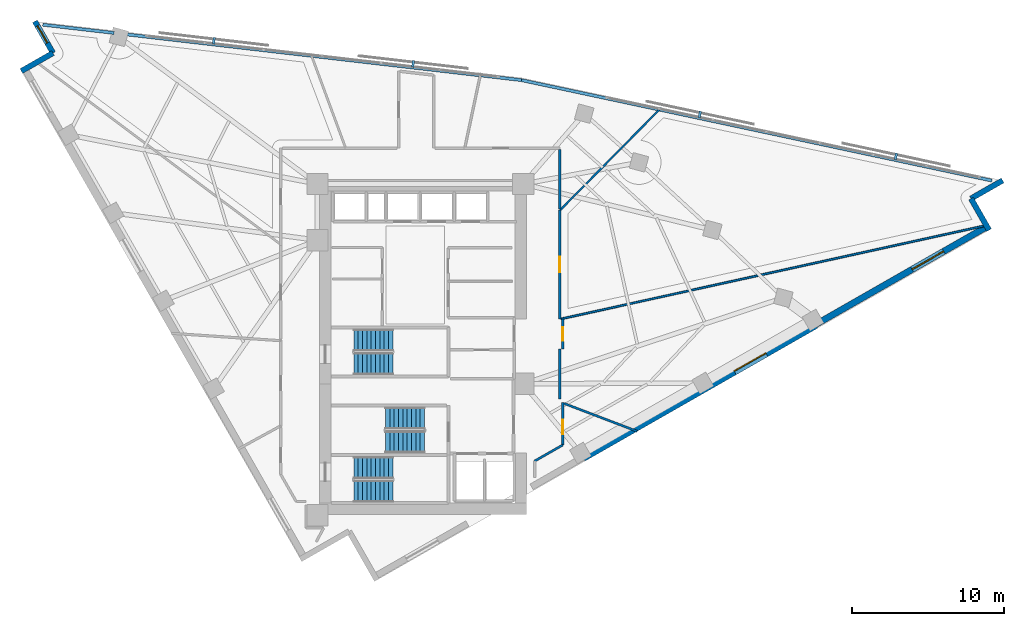
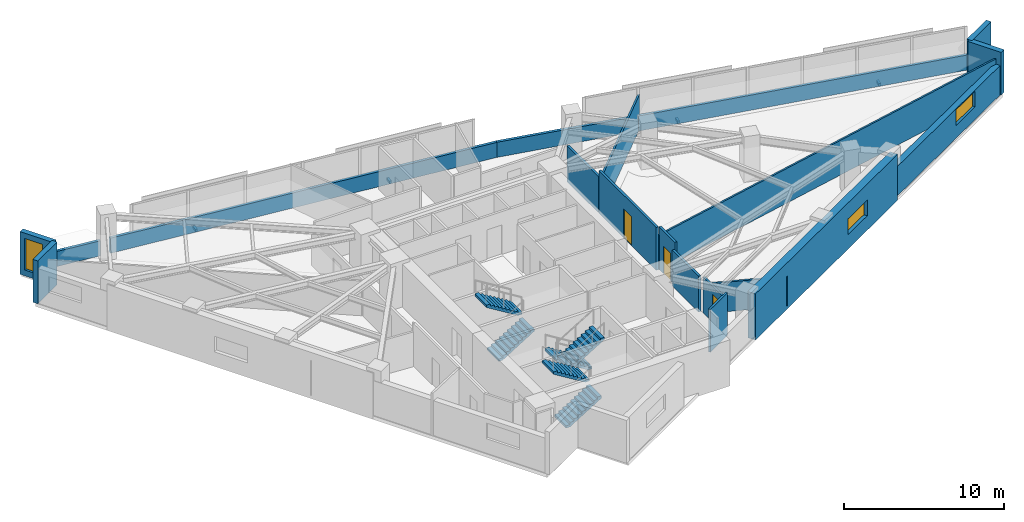
# One storey, part 11 of 13: 18 walls, 6 stair flights, 4 discrete accessories, 3 doors, 3 windows, 6 openings, 3 elements without a shape of their own.
"""IFC4 building model written with IfcOpenShell, lengths in metres."""

from ifc_helpers import new_model, si_unit, direction, frame, frame_2d, origin, origin_2d, place, context, subcontext, project, spatial, polyline, rectangle, outline, extrude, material, layer, layer_set, type_object, element, fill, aggregate, save


model = new_model("IFC4")

# Units and contexts
model_context = context("Model", 3, precision=1e-05, world=origin(), true_north=direction((0.0, 1.0)))
body_context = subcontext(model_context, "Body", "Model", "MODEL_VIEW")
ifc_project = project(units=[si_unit("LENGTHUNIT", "METRE"), si_unit("AREAUNIT", "SQUARE_METRE"), si_unit("VOLUMEUNIT", "CUBIC_METRE"), si_unit("PLANEANGLEUNIT", "RADIAN"), si_unit("MASSUNIT", "GRAM", prefix="KILO")], contexts=[model_context])

# Site, building, storey
site_placement = place(None, origin())
site = spatial("IfcSite", under=ifc_project, at=site_placement, CompositionType="ELEMENT")
building_placement = place(site_placement, origin())
building = spatial("IfcBuilding", under=site, at=building_placement, Name="Narakoshi Arena Tower", CompositionType="ELEMENT")
storey_placement = place(building_placement, frame((0.0, 0.0, 222.02001953125)))
storey = spatial("IfcBuildingStorey", under=building, at=storey_placement, Name="L60", CompositionType="ELEMENT", Elevation=222.02001953125)

# Wall
ifc_material_1 = material(Name="Gypsum plasterboard fire-rated partition")
ifc_layer_1 = layer(ifc_material_1, 0.1650390625)
ifc_layer_set_1 = layer_set([ifc_layer_1], Name="Gypsum plasterboard fire-rated partition")
wall_type_1 = type_object("IfcWallType", Name="WL-CORR-165", PredefinedType="PARTITIONING", material=ifc_layer_set_1)
wall_1_placement = place(storey_placement, frame((87.955322265625, 42.35009765625, 0.0), z_axis=(0.0, 0.0, 1.0), x_axis=(0.0, 1.0, 0.0)))
element("IfcWall", 1, at=wall_1_placement, inside=storey, type_object=wall_type_1, Name="L60 Corridor Partition 04-1", PredefinedType="PARTITIONING", context=body_context, shape_type="SweptSolid", body=[
    extrude(rectangle(XDim=3.2998046875, YDim=0.1650390625, at=frame_2d((1.64990234375, 0.0))), origin(), (0.0, 0.0, 1.0), 2.744873046875),
])

# Wall, opening, door
wall_2_placement = place(storey_placement, frame((88.14990234375, 45.64990234375, 0.0), z_axis=(0.0, 0.0, 1.0), x_axis=(0.0, 1.0, 0.0)))
wall_2 = element("IfcWall", 2, at=wall_2_placement, inside=storey, type_object=wall_type_1, Name="L60 Corridor Partition 04-2", PredefinedType="PARTITIONING", context=body_context, shape_type="SweptSolid", body=[
    extrude(rectangle(XDim=1.97021484375, YDim=0.1650390625, at=frame_2d((0.985107421875, 0.0))), origin(), (0.0, 0.0, 1.0), 3.260009765625),
])
opening_1_placement = place(wall_2_placement, frame((0.534912109375, 0.0, 0.0)))
opening_1 = element("IfcOpeningElement", 3, at=opening_1_placement, cuts=wall_2, Name="Opening D-08", PredefinedType="OPENING", context=body_context, shape_type="SweptSolid", body=[
    extrude(rectangle(XDim=0.89990234375, YDim=2.10009765625, at=frame_2d((0.449951171875, 1.050048828125))), frame((0.0, 0.092529296875, 0.0), z_axis=(0.0, -1.0, 0.0), x_axis=(1.0, 0.0, 0.0)), (0.0, 0.0, 1.0), 0.18505859375),
])
ifc_material_2 = material(Name="Moisture-resistant laminate timber", Category="wood")
door_type_1 = type_object("IfcDoorType", Name="DR-WC-900", OperationType="NOTDEFINED", PredefinedType="DOOR", material=ifc_material_2)
door_1_placement = place(opening_1_placement, frame((0.89990234375, 0.0, 0.0), z_axis=(0.0, 0.0, 1.0), x_axis=(-1.0, 0.0, 0.0)))
door_1 = element("IfcDoor", 4, at=door_1_placement, inside=storey, type_object=door_type_1, Name="DR-L60-019", OperationType="SINGLE_SWING_LEFT", OverallHeight=2.10009765625, OverallWidth=0.89990234375, PredefinedType="DOOR", context=body_context, shape_type="SweptSolid", body=[
    extrude(rectangle(XDim=0.89990234375, YDim=2.10009765625, at=frame_2d((0.449951171875, 1.050048828125))), frame((0.0, 0.02490234375, 0.0), z_axis=(0.0, -1.0, 0.0), x_axis=(1.0, 0.0, 0.0)), (0.0, 0.0, 1.0), 0.050048828125),
])
fill(opening_1, door_1)

wall_3_placement = place(storey_placement, frame((87.955322265625, 47.62890625, 0.0), z_axis=(0.0, 0.0, 1.0), x_axis=(0.0, 1.0, 0.0)))
wall_3 = element("IfcWall", 5, at=wall_3_placement, inside=storey, type_object=wall_type_1, Name="L60 Corridor Partition 05-1", PredefinedType="PARTITIONING", context=body_context, shape_type="SweptSolid", body=[
    extrude(rectangle(XDim=7.157470703125, YDim=0.1650390625, at=frame_2d((3.57861328125, 0.0))), origin(), (0.0, 0.0, 1.0), 3.260009765625),
])
opening_2_placement = place(wall_3_placement, frame((3.07861328125, 0.0, 0.0)))
opening_2 = element("IfcOpeningElement", 6, at=opening_2_placement, cuts=wall_3, Name="Opening D-06", PredefinedType="OPENING", context=body_context, shape_type="SweptSolid", body=[
    extrude(rectangle(XDim=1.0, YDim=2.199951171875, at=frame_2d((0.5, 1.10009765625))), frame((0.0, 0.092529296875, 0.0), z_axis=(0.0, -1.0, 0.0), x_axis=(1.0, 0.0, 0.0)), (0.0, 0.0, 1.0), 0.18505859375),
])
ifc_material_3 = material(Name="Stained oak solid-core timber", Category="wood")
door_type_2 = type_object("IfcDoorType", Name="DR-OFF-1000", OperationType="NOTDEFINED", PredefinedType="DOOR", material=ifc_material_3)
door_2_placement = place(opening_2_placement, frame((1.0, 0.0, 0.0), z_axis=(0.0, 0.0, 1.0), x_axis=(-1.0, 0.0, 0.0)))
door_2 = element("IfcDoor", 7, at=door_2_placement, inside=storey, type_object=door_type_2, Name="DR-L60-020", OperationType="SINGLE_SWING_RIGHT", OverallHeight=2.199951171875, OverallWidth=1.0, PredefinedType="DOOR", context=body_context, shape_type="SweptSolid", body=[
    extrude(rectangle(XDim=1.0, YDim=2.199951171875, at=frame_2d((0.5, 1.10009765625))), frame((0.0, 0.02490234375, 0.0), z_axis=(0.0, -1.0, 0.0), x_axis=(1.0, 0.0, 0.0)), (0.0, 0.0, 1.0), 0.050048828125),
])
fill(opening_2, door_2)

# Wall
wall_4_placement = place(storey_placement, frame((87.955322265625, 54.866455078125, 0.0), z_axis=(0.0, 0.0, 1.0), x_axis=(0.0, 1.0, 0.0)))
element("IfcWall", 8, at=wall_4_placement, inside=storey, type_object=wall_type_1, Name="L60 Corridor Partition 06-2", PredefinedType="PARTITIONING", context=body_context, shape_type="SweptSolid", body=[
    extrude(rectangle(XDim=3.89453125, YDim=0.1650390625, at=frame_2d((1.947265625, 0.0))), origin(), (0.0, 0.0, 1.0), 2.744873046875),
])

# Wall, opening, window
ifc_material_4 = material(Name="Concrete C50/60", Category="concrete")
ifc_layer_2 = layer(ifc_material_4, 0.550048828125)
ifc_layer_set_2 = layer_set([ifc_layer_2], Name="Concrete C50/60")
wall_type_2 = type_object("IfcWallType", Name="WL-LEG-550", PredefinedType="SHEAR", material=ifc_layer_set_2)
wall_5_placement = place(storey_placement, frame((89.479248046875, 38.4990234375, -0.260009765625), z_axis=(0.0, 0.0, 1.0), x_axis=(0.868197136736, 0.496219439123, 0.0)))
wall_5 = element("IfcWall", 9, at=wall_5_placement, inside=storey, type_object=wall_type_2, Name="L60 Architectural Concrete Structural Wall LEGA-3", PredefinedType="SHEAR", context=body_context, shape_type="SweptSolid", body=[
    extrude(rectangle(XDim=17.63623046875, YDim=0.550048828125, at=frame_2d((8.818115234375, 0.0))), origin(), (0.0, 0.0, 1.0), 3.52001953125),
])
opening_3_placement = place(wall_5_placement, frame((11.463623046875, 0.0, 1.10009765625)))
opening_3 = element("IfcOpeningElement", 10, at=opening_3_placement, cuts=wall_5, Name="Opening WN-04", PredefinedType="OPENING", context=body_context, shape_type="SweptSolid", body=[
    extrude(rectangle(XDim=2.39990234375, YDim=1.199951171875, at=frame_2d((1.199951171875, 0.60009765625))), frame((0.0, 0.284912109375, 0.0), z_axis=(0.0, -1.0, 0.0), x_axis=(1.0, 0.0, 0.0)), (0.0, 0.0, 1.0), 0.570068359375),
])
ifc_material_5 = material(Name="Bronze-tinted low-E laminated glass", Category="glass")
window_type_1 = type_object("IfcWindowType", Name="WIN-SLT-24x12", PartitioningType="SINGLE_PANEL", PredefinedType="WINDOW", material=ifc_material_5)
window_1_placement = place(opening_3_placement, origin())
window_1 = element("IfcWindow", 11, at=window_1_placement, inside=storey, type_object=window_type_1, Name="L60 LEGA3 Horizontal Slot Window 1", OverallHeight=1.199951171875, OverallWidth=2.39990234375, PartitioningType="SINGLE_PANEL", PredefinedType="WINDOW", context=body_context, shape_type="SweptSolid", body=[
    extrude(rectangle(XDim=2.39990234375, YDim=1.199951171875, at=frame_2d((1.199951171875, 0.60009765625))), frame((0.0, 0.030029296875, 0.0), z_axis=(0.0, -1.0, 0.0), x_axis=(1.0, 0.0, 0.0)), (0.0, 0.0, 1.0), 0.06005859375),
])
fill(opening_3, window_1)

# Walls
ifc_material_6 = material(Name="Precast concrete C45/55", Category="concrete")
ifc_layer_3 = layer(ifc_material_6, 0.25)
ifc_layer_set_3 = layer_set([ifc_layer_3], Name="Precast concrete C45/55")
wall_type_3 = type_object("IfcWallType", Name="WL-PARA-250", PredefinedType="PARAPET", material=ifc_layer_set_3)
wall_6_placement = place(storey_placement, frame((116.3955078125, 56.7216796875, 0.0), z_axis=(0.0, 0.0, 1.0), x_axis=(-0.977936620644, 0.208901809478, 0.0)))
element("IfcWall", 12, at=wall_6_placement, inside=storey, type_object=wall_type_3, Name="L60 Hypotenuse Sill Upstand Parapet 1-01", PredefinedType="PARAPET", context=body_context, shape_type="SweptSolid", body=[
    extrude(rectangle(XDim=31.685302734375, YDim=0.199951171875, at=frame_2d((15.8427734375, 0.0))), origin(), (0.0, 0.0, 1.0), 1.14990234375),
])
wall_7_placement = place(storey_placement, frame((85.42431640625, 63.33837890625, 0.0), z_axis=(0.0, 0.0, 1.0), x_axis=(-0.993364714048, 0.115006716693, 0.0)))
element("IfcWall", 13, at=wall_7_placement, inside=storey, type_object=wall_type_3, Name="L60 Hypotenuse Sill Upstand Parapet 2-01", PredefinedType="PARAPET", context=body_context, shape_type="SweptSolid", body=[
    extrude(rectangle(XDim=26.302001953125, YDim=0.199951171875, at=frame_2d((13.15087890625, 0.0))), origin(), (0.0, 0.0, 1.0), 1.14990234375),
])
wall_8_placement = place(storey_placement, frame((58.621826171875, 66.44140625, 0.0), z_axis=(0.0, 0.0, 1.0), x_axis=(-0.993362937665, 0.115022059074, 0.0)))
element("IfcWall", 14, at=wall_8_placement, inside=storey, type_object=wall_type_3, Name="L60 Hypotenuse Sill Upstand Parapet 2-02", PredefinedType="PARAPET", context=body_context, shape_type="SweptSolid", body=[
    extrude(rectangle(XDim=4.72705078125, YDim=0.199951171875, at=frame_2d((2.363525390625, 0.0))), origin(), (0.0, 0.0, 1.0), 1.14990234375),
])
ifc_layer_4 = layer(ifc_material_1, 0.125)
ifc_layer_set_4 = layer_set([ifc_layer_4], Name="Gypsum plasterboard fire-rated partition")
wall_type_4 = type_object("IfcWallType", Name="WL-PART-125", PredefinedType="PARTITIONING", material=ifc_layer_set_4)
wall_9_placement = place(storey_placement, frame((88.02587890625, 47.6201171875, 0.0), z_axis=(0.0, 0.0, 1.0), x_axis=(0.976658973775, 0.214795830835, 0.0)))
element("IfcWall", 15, at=wall_9_placement, inside=storey, type_object=wall_type_4, Name="L60 Inter-Room Partition 04-05", PredefinedType="PARTITIONING", context=body_context, shape_type="SweptSolid", body=[
    extrude(rectangle(XDim=28.671142578125, YDim=0.125, at=frame_2d((14.33544921875, 0.0))), origin(), (0.0, 0.0, 1.0), 2.64501953125),
])
wall_10_placement = place(storey_placement, frame((87.98095703125, 54.786376953125, 0.0), z_axis=(0.0, 0.0, 1.0), x_axis=(0.702637523149, 0.711547968209, 0.0)))
element("IfcWall", 16, at=wall_10_placement, inside=storey, type_object=wall_type_4, Name="L60 Inter-Room Partition 05-06", PredefinedType="PARTITIONING", context=body_context, shape_type="SweptSolid", body=[
    extrude(rectangle(XDim=9.480224609375, YDim=0.125, at=frame_2d((4.740234375, 0.0))), origin(), (0.0, 0.0, 1.0), 2.64501953125),
])

# Wall, opening, window
ifc_layer_5 = layer(ifc_material_6, 0.419921875)
ifc_layer_set_5 = layer_set([ifc_layer_5], Name="Precast concrete C45/55")
wall_type_5 = type_object("IfcWallType", Name="WL-POD-420", PredefinedType="SOLIDWALL", material=ifc_layer_set_5)
wall_11_placement = place(storey_placement, frame((104.791015625, 47.25048828125, 0.0), z_axis=(0.0, 0.0, 1.0), x_axis=(0.868193423982, 0.496225934987, 0.0)))
wall_11 = element("IfcWall", 17, at=wall_11_placement, inside=storey, type_object=wall_type_5, Name="L60 Architectural Concrete Facade Wall LEGA-4", PredefinedType="SOLIDWALL", context=body_context, shape_type="SweptSolid", body=[
    extrude(rectangle(XDim=12.9951171875, YDim=0.419921875, at=frame_2d((6.49755859375, 0.0))), origin(), (0.0, 0.0, 1.0), 2.244873046875),
])
opening_4_placement = place(wall_11_placement, frame((7.309814453125, 0.0, 0.965087890625)))
opening_4 = element("IfcOpeningElement", 18, at=opening_4_placement, cuts=wall_11, Name="Opening WN-04", PredefinedType="OPENING", context=body_context, shape_type="SweptSolid", body=[
    extrude(rectangle(XDim=2.39990234375, YDim=1.199951171875, at=frame_2d((1.199951171875, 0.60009765625))), frame((0.0, 0.219970703125, 0.0), z_axis=(0.0, -1.0, 0.0), x_axis=(1.0, 0.0, 0.0)), (0.0, 0.0, 1.0), 0.43994140625),
])
window_2_placement = place(opening_4_placement, origin())
window_2 = element("IfcWindow", 19, at=window_2_placement, inside=storey, type_object=window_type_1, Name="L60 LEGA4 Horizontal Slot Window 1", OverallHeight=1.199951171875, OverallWidth=2.39990234375, PartitioningType="SINGLE_PANEL", PredefinedType="WINDOW", context=body_context, shape_type="SweptSolid", body=[
    extrude(rectangle(XDim=2.39990234375, YDim=1.199951171875, at=frame_2d((1.199951171875, 0.60009765625))), frame((0.0, 0.030029296875, 0.0), z_axis=(0.0, -1.0, 0.0), x_axis=(1.0, 0.0, 0.0)), (0.0, 0.0, 1.0), 0.06005859375),
])
fill(opening_4, window_2)

# Walls
wall_12_placement = place(storey_placement, frame((116.209716796875, 53.460205078125, 0.0), z_axis=(0.0, 0.0, 1.0), x_axis=(-0.496215637313, 0.868199309655, 0.0)))
element("IfcWall", 20, at=wall_12_placement, inside=storey, type_object=wall_type_5, Name="L60 Re-Entrant Corner Notch Wall NTE-1", PredefinedType="SOLIDWALL", context=body_context, shape_type="SweptSolid", body=[
    extrude(rectangle(XDim=2.3994140625, YDim=0.360107421875, at=frame_2d((1.19970703125, 0.0))), origin(), (0.0, 0.0, 1.0), 3.260009765625),
])
wall_13_placement = place(storey_placement, frame((115.01904296875, 55.54345703125, 0.0), z_axis=(0.0, 0.0, 1.0), x_axis=(0.86818053093, 0.4962484919, 0.0)))
element("IfcWall", 21, at=wall_13_placement, inside=storey, type_object=wall_type_5, Name="L60 Re-Entrant Corner Notch Wall NTE-2", PredefinedType="SOLIDWALL", context=body_context, shape_type="SweptSolid", body=[
    extrude(rectangle(XDim=2.39990234375, YDim=0.360107421875, at=frame_2d((1.199951171875, 0.0))), origin(), (0.0, 0.0, 1.0), 3.260009765625),
])

# Wall, opening, window
wall_14_placement = place(storey_placement, frame((53.408203125, 67.2060546875, 0.0), z_axis=(0.0, 0.0, 1.0), x_axis=(0.496292324652, -0.868155474838, 0.0)))
wall_14 = element("IfcWall", 22, at=wall_14_placement, inside=storey, type_object=wall_type_5, Name="L60 Re-Entrant Corner Notch Wall NTN-1", PredefinedType="SOLIDWALL", context=body_context, shape_type="SweptSolid", body=[
    extrude(rectangle(XDim=2.399658203125, YDim=0.360107421875, at=frame_2d((1.19970703125, 0.0))), origin(), (0.0, 0.0, 1.0), 3.260009765625),
])
opening_5_placement = place(wall_14_placement, frame((0.340087890625, 0.0, 0.449951171875)))
opening_5 = element("IfcOpeningElement", 23, at=opening_5_placement, cuts=wall_14, Name="Opening WN-06", PredefinedType="OPENING", context=body_context, shape_type="SweptSolid", body=[
    extrude(rectangle(XDim=1.300048828125, YDim=2.39990234375, at=frame_2d((0.64990234375, 1.199951171875))), frame((0.0, 0.18994140625, 0.0), z_axis=(0.0, -1.0, 0.0), x_axis=(1.0, 0.0, 0.0)), (0.0, 0.0, 1.0), 0.380126953125),
])
window_type_2 = type_object("IfcWindowType", Name="WIN-NTC-16x24", PartitioningType="SINGLE_PANEL", PredefinedType="WINDOW", material=ifc_material_5)
window_3_placement = place(opening_5_placement, origin())
window_3 = element("IfcWindow", 24, at=window_3_placement, inside=storey, type_object=window_type_2, Name="L60 Corner Notch Window NTN", OverallHeight=2.39990234375, OverallWidth=1.300048828125, PartitioningType="SINGLE_PANEL", PredefinedType="WINDOW", context=body_context, shape_type="SweptSolid", body=[
    extrude(rectangle(XDim=1.300048828125, YDim=2.39990234375, at=frame_2d((0.64990234375, 1.199951171875))), frame((0.0, 0.030029296875, 0.0), z_axis=(0.0, -1.0, 0.0), x_axis=(1.0, 0.0, 0.0)), (0.0, 0.0, 1.0), 0.06005859375),
])
fill(opening_5, window_3)

# Wall
wall_15_placement = place(storey_placement, frame((54.59912109375, 65.122802734375, 0.0), z_axis=(0.0, 0.0, 1.0), x_axis=(-0.86818053093, -0.4962484919, 0.0)))
element("IfcWall", 25, at=wall_15_placement, inside=storey, type_object=wall_type_5, Name="L60 Re-Entrant Corner Notch Wall NTN-2", PredefinedType="SOLIDWALL", context=body_context, shape_type="SweptSolid", body=[
    extrude(rectangle(XDim=2.39990234375, YDim=0.360107421875, at=frame_2d((1.199951171875, 0.0))), origin(), (0.0, 0.0, 1.0), 3.260009765625),
])

# Wall, opening, door
ifc_material_7 = material(Name="Moisture-resistant cement-board partition")
ifc_layer_6 = layer(ifc_material_7, 0.14501953125)
ifc_layer_set_6 = layer_set([ifc_layer_6], Name="Moisture-resistant cement-board partition")
wall_type_6 = type_object("IfcWallType", Name="WL-WET-145", PredefinedType="PARTITIONING", material=ifc_layer_set_6)
wall_16_placement = place(storey_placement, frame((88.14990234375, 39.322998046875, 0.0), z_axis=(0.0, 0.0, 1.0), x_axis=(0.0, 1.0, 0.0)))
wall_16 = element("IfcWall", 26, at=wall_16_placement, inside=storey, type_object=wall_type_6, Name="L60 Corridor Partition 03-1", PredefinedType="PARTITIONING", context=body_context, shape_type="SweptSolid", body=[
    extrude(rectangle(XDim=2.8046875, YDim=0.14501953125, at=frame_2d((1.40234375, 0.0))), origin(), (0.0, 0.0, 1.0), 2.744873046875),
])
opening_6_placement = place(wall_16_placement, frame((0.708984375, 0.0, 0.0)))
opening_6 = element("IfcOpeningElement", 27, at=opening_6_placement, cuts=wall_16, Name="Opening D-07", PredefinedType="OPENING", context=body_context, shape_type="SweptSolid", body=[
    extrude(rectangle(XDim=0.949951171875, YDim=2.14990234375, at=frame_2d((0.47509765625, 1.074951171875))), frame((0.0, 0.08251953125, 0.0), z_axis=(0.0, -1.0, 0.0), x_axis=(1.0, 0.0, 0.0)), (0.0, 0.0, 1.0), 0.1650390625),
])
door_type_3 = type_object("IfcDoorType", Name="DR-ACC-950", OperationType="NOTDEFINED", PredefinedType="DOOR", material=ifc_material_3)
door_3_placement = place(opening_6_placement, frame((0.949951171875, 0.0, 0.0), z_axis=(0.0, 0.0, 1.0), x_axis=(-1.0, 0.0, 0.0)))
door_3 = element("IfcDoor", 28, at=door_3_placement, inside=storey, type_object=door_type_3, Name="DR-L60-018", OperationType="SINGLE_SWING_LEFT", OverallHeight=2.14990234375, OverallWidth=0.949951171875, PredefinedType="DOOR", context=body_context, shape_type="SweptSolid", body=[
    extrude(rectangle(XDim=0.949951171875, YDim=2.14990234375, at=frame_2d((0.47509765625, 1.074951171875))), frame((0.0, 0.02490234375, 0.0), z_axis=(0.0, -1.0, 0.0), x_axis=(1.0, 0.0, 0.0)), (0.0, 0.0, 1.0), 0.050048828125),
])
fill(opening_6, door_3)

# Walls
wall_17_placement = place(storey_placement, frame((86.300048828125, 38.265625, 0.0), z_axis=(0.0, 0.0, 1.0), x_axis=(0.868179674817, 0.496249989657, 0.0)))
element("IfcWall", 29, at=wall_17_placement, inside=storey, type_object=wall_type_6, Name="L60 Corridor Partition 03-2", PredefinedType="PARTITIONING", context=body_context, shape_type="SweptSolid", body=[
    extrude(rectangle(XDim=2.130615234375, YDim=0.14501953125, at=frame_2d((1.0654296875, 0.0))), origin(), (0.0, 0.0, 1.0), 3.260009765625),
])
wall_18_placement = place(storey_placement, frame((88.234619140625, 42.05712890625, 0.0), z_axis=(0.0, 0.0, 1.0), x_axis=(0.934412638953, -0.356192392066, 0.0)))
element("IfcWall", 30, at=wall_18_placement, inside=storey, type_object=wall_type_6, Name="L60 Inter-Room Partition 03-04", PredefinedType="PARTITIONING", context=body_context, shape_type="SweptSolid", body=[
    extrude(rectangle(XDim=5.151611328125, YDim=0.14501953125, at=frame_2d((2.57568359375, 0.0))), origin(), (0.0, 0.0, 1.0), 2.244873046875),
])

# Stair, stair flights
ifc_material_8 = material(Name="Concrete C45/55", Category="concrete")
stair_type = type_object("IfcStairType", Name="STR-CORE-352", PredefinedType="TWO_STRAIGHT_RUN_STAIR", material=ifc_material_8)
stair_1_placement = place(storey_placement, origin())
stair_1 = element("IfcStair", 31, at=stair_1_placement, inside=storey, type_object=stair_type, Name="L60 Core Escape Stair ST1", PredefinedType="TWO_STRAIGHT_RUN_STAIR")
stair_flight_type = type_object("IfcStairFlightType", Name="FLT-145-160", PredefinedType="STRAIGHT", material=ifc_material_6)
stair_flight_1_placement = place(storey_placement, frame((74.39990234375, 36.27490234375, 0.0), z_axis=(0.0, 0.0, 1.0), x_axis=(1.0, 0.0, 0.0)))
stair_flight_1 = element("IfcStairFlight", 32, at=stair_flight_1_placement, type_object=stair_flight_type, Name="ST1 flight 1", NumberOfRisers=10, NumberOfTreads=9, PredefinedType="STRAIGHT", RiserHeight=0.176, TreadLength=0.285, context=body_context, shape_type="SweptSolid", body=[
    extrude(outline(polyline([(0.0, 0.0), (0.0, 0.176025390625), (0.284912109375, 0.176025390625), (0.284912109375, 0.35205078125), (0.570068359375, 0.35205078125), (0.570068359375, 0.528076171875), (0.85498046875, 0.528076171875), (0.85498046875, 0.7041015625), (1.139892578125, 0.7041015625), (1.139892578125, 0.8798828125), (1.425048828125, 0.8798828125), (1.425048828125, 1.055908203125), (1.7099609375, 1.055908203125), (1.7099609375, 1.23193359375), (1.9951171875, 1.23193359375), (1.9951171875, 1.407958984375), (2.280029296875, 1.407958984375), (2.280029296875, 1.583984375), (2.56494140625, 1.583984375), (2.56494140625, 1.760009765625), (2.56494140625, 1.40771484375), (0.285400390625, 0.0), (0.0, 0.0)])), frame((0.0, 0.72509765625, 0.0), z_axis=(0.0, -1.0, 0.0), x_axis=(1.0, 0.0, 0.0)), (0.0, 0.0, 1.0), 1.449951171875),
])
stair_flight_2_placement = place(storey_placement, frame((76.965087890625, 37.824951171875, 1.760009765625), z_axis=(0.0, 0.0, 1.0), x_axis=(-1.0, 0.0, 0.0)))
stair_flight_2 = element("IfcStairFlight", 33, at=stair_flight_2_placement, type_object=stair_flight_type, Name="ST1 flight 2", NumberOfRisers=10, NumberOfTreads=9, PredefinedType="STRAIGHT", RiserHeight=0.176, TreadLength=0.285, context=body_context, shape_type="SweptSolid", body=[
    extrude(outline(polyline([(0.0, 0.0), (0.0, 0.176025390625), (0.284912109375, 0.176025390625), (0.284912109375, 0.35205078125), (0.570068359375, 0.35205078125), (0.570068359375, 0.528076171875), (0.85498046875, 0.528076171875), (0.85498046875, 0.7041015625), (1.139892578125, 0.7041015625), (1.139892578125, 0.8798828125), (1.425048828125, 0.8798828125), (1.425048828125, 1.055908203125), (1.7099609375, 1.055908203125), (1.7099609375, 1.23193359375), (1.9951171875, 1.23193359375), (1.9951171875, 1.407958984375), (2.280029296875, 1.407958984375), (2.280029296875, 1.583984375), (2.56494140625, 1.583984375), (2.56494140625, 1.760009765625), (2.56494140625, 1.40771484375), (0.285400390625, 0.0), (0.0, 0.0)])), frame((0.0, 0.72509765625, 0.0), z_axis=(0.0, -1.0, 0.0), x_axis=(1.0, 0.0, 0.0)), (0.0, 0.0, 1.0), 1.449951171875),
])
aggregate(stair_1, [stair_flight_1, stair_flight_2])

stair_2_placement = place(storey_placement, origin())
stair_2 = element("IfcStair", 34, at=stair_2_placement, inside=storey, type_object=stair_type, Name="L60 Core Escape Stair ST2", PredefinedType="TWO_STRAIGHT_RUN_STAIR")
stair_flight_3_placement = place(storey_placement, frame((79.050048828125, 41.074951171875, 0.0), z_axis=(0.0, 0.0, 1.0), x_axis=(-1.0, 0.0, 0.0)))
stair_flight_3 = element("IfcStairFlight", 35, at=stair_flight_3_placement, type_object=stair_flight_type, Name="ST2 flight 1", NumberOfRisers=10, NumberOfTreads=9, PredefinedType="STRAIGHT", RiserHeight=0.176, TreadLength=0.285, context=body_context, shape_type="SweptSolid", body=[
    extrude(outline(polyline([(0.0, 0.0), (0.0, 0.176025390625), (0.284912109375, 0.176025390625), (0.284912109375, 0.35205078125), (0.570068359375, 0.35205078125), (0.570068359375, 0.528076171875), (0.85498046875, 0.528076171875), (0.85498046875, 0.7041015625), (1.139892578125, 0.7041015625), (1.139892578125, 0.8798828125), (1.425048828125, 0.8798828125), (1.425048828125, 1.055908203125), (1.7099609375, 1.055908203125), (1.7099609375, 1.23193359375), (1.9951171875, 1.23193359375), (1.9951171875, 1.407958984375), (2.280029296875, 1.407958984375), (2.280029296875, 1.583984375), (2.56494140625, 1.583984375), (2.56494140625, 1.760009765625), (2.56494140625, 1.40771484375), (0.285400390625, 0.0), (0.0, 0.0)])), frame((0.0, 0.72509765625, 0.0), z_axis=(0.0, -1.0, 0.0), x_axis=(1.0, 0.0, 0.0)), (0.0, 0.0, 1.0), 1.449951171875),
])
stair_flight_4_placement = place(storey_placement, frame((76.485107421875, 39.52490234375, 1.760009765625), z_axis=(0.0, 0.0, 1.0), x_axis=(1.0, 0.0, 0.0)))
stair_flight_4 = element("IfcStairFlight", 36, at=stair_flight_4_placement, type_object=stair_flight_type, Name="ST2 flight 2", NumberOfRisers=10, NumberOfTreads=9, PredefinedType="STRAIGHT", RiserHeight=0.176, TreadLength=0.285, context=body_context, shape_type="SweptSolid", body=[
    extrude(outline(polyline([(0.0, 0.0), (0.0, 0.176025390625), (0.284912109375, 0.176025390625), (0.284912109375, 0.35205078125), (0.570068359375, 0.35205078125), (0.570068359375, 0.528076171875), (0.85498046875, 0.528076171875), (0.85498046875, 0.7041015625), (1.139892578125, 0.7041015625), (1.139892578125, 0.8798828125), (1.425048828125, 0.8798828125), (1.425048828125, 1.055908203125), (1.7099609375, 1.055908203125), (1.7099609375, 1.23193359375), (1.9951171875, 1.23193359375), (1.9951171875, 1.407958984375), (2.280029296875, 1.407958984375), (2.280029296875, 1.583984375), (2.56494140625, 1.583984375), (2.56494140625, 1.760009765625), (2.56494140625, 1.40771484375), (0.285400390625, 0.0), (0.0, 0.0)])), frame((0.0, 0.72509765625, 0.0), z_axis=(0.0, -1.0, 0.0), x_axis=(1.0, 0.0, 0.0)), (0.0, 0.0, 1.0), 1.449951171875),
])
aggregate(stair_2, [stair_flight_3, stair_flight_4])

stair_3_placement = place(storey_placement, origin())
stair_3 = element("IfcStair", 37, at=stair_3_placement, inside=storey, type_object=stair_type, Name="L60 Core Escape Stair ST3", PredefinedType="TWO_STRAIGHT_RUN_STAIR")
stair_flight_5_placement = place(storey_placement, frame((74.39990234375, 44.675048828125, 0.0), z_axis=(0.0, 0.0, 1.0), x_axis=(1.0, 0.0, 0.0)))
stair_flight_5 = element("IfcStairFlight", 38, at=stair_flight_5_placement, type_object=stair_flight_type, Name="ST3 flight 1", NumberOfRisers=10, NumberOfTreads=9, PredefinedType="STRAIGHT", RiserHeight=0.176, TreadLength=0.285, context=body_context, shape_type="SweptSolid", body=[
    extrude(outline(polyline([(0.0, 0.0), (0.0, 0.176025390625), (0.284912109375, 0.176025390625), (0.284912109375, 0.35205078125), (0.570068359375, 0.35205078125), (0.570068359375, 0.528076171875), (0.85498046875, 0.528076171875), (0.85498046875, 0.7041015625), (1.139892578125, 0.7041015625), (1.139892578125, 0.8798828125), (1.425048828125, 0.8798828125), (1.425048828125, 1.055908203125), (1.7099609375, 1.055908203125), (1.7099609375, 1.23193359375), (1.9951171875, 1.23193359375), (1.9951171875, 1.407958984375), (2.280029296875, 1.407958984375), (2.280029296875, 1.583984375), (2.56494140625, 1.583984375), (2.56494140625, 1.760009765625), (2.56494140625, 1.40771484375), (0.285400390625, 0.0), (0.0, 0.0)])), frame((0.0, 0.72509765625, 0.0), z_axis=(0.0, -1.0, 0.0), x_axis=(1.0, 0.0, 0.0)), (0.0, 0.0, 1.0), 1.449951171875),
])
stair_flight_6_placement = place(storey_placement, frame((76.965087890625, 46.22509765625, 1.760009765625), z_axis=(0.0, 0.0, 1.0), x_axis=(-1.0, 0.0, 0.0)))
stair_flight_6 = element("IfcStairFlight", 39, at=stair_flight_6_placement, type_object=stair_flight_type, Name="ST3 flight 2", NumberOfRisers=10, NumberOfTreads=9, PredefinedType="STRAIGHT", RiserHeight=0.176, TreadLength=0.285, context=body_context, shape_type="SweptSolid", body=[
    extrude(outline(polyline([(0.0, 0.0), (0.0, 0.176025390625), (0.284912109375, 0.176025390625), (0.284912109375, 0.35205078125), (0.570068359375, 0.35205078125), (0.570068359375, 0.528076171875), (0.85498046875, 0.528076171875), (0.85498046875, 0.7041015625), (1.139892578125, 0.7041015625), (1.139892578125, 0.8798828125), (1.425048828125, 0.8798828125), (1.425048828125, 1.055908203125), (1.7099609375, 1.055908203125), (1.7099609375, 1.23193359375), (1.9951171875, 1.23193359375), (1.9951171875, 1.407958984375), (2.280029296875, 1.407958984375), (2.280029296875, 1.583984375), (2.56494140625, 1.583984375), (2.56494140625, 1.760009765625), (2.56494140625, 1.40771484375), (0.285400390625, 0.0), (0.0, 0.0)])), frame((0.0, 0.72509765625, 0.0), z_axis=(0.0, -1.0, 0.0), x_axis=(1.0, 0.0, 0.0)), (0.0, 0.0, 1.0), 1.449951171875),
])
aggregate(stair_3, [stair_flight_5, stair_flight_6])

# Discrete accessories
ifc_material_9 = material(Name="Structural steel S355J2", Category="steel")
discrete_accessory_type = type_object("IfcDiscreteAccessoryType", Name="ACC-BRK-SCR", PredefinedType="BRACKET", material=ifc_material_9)
for number, where, z_axis, x_axis, name in (
    (40, (110.078125, 58.316650390625, -0.080078125), (0.0, 0.0, 1.0), (-0.977936632473, 0.208901754101, 0.0), "L60 Solar Screen Support Bracket SHD-L60-SCR1-1"),
    (41, (97.169189453125, 61.07421875, -0.080078125), (0.0, 0.0, 1.0), (-0.977936632473, 0.208901754101, 0.0), "L60 Solar Screen Support Bracket SHD-L60-SCR1-2"),
    (42, (78.2998046875, 64.40478515625, -0.080078125), (0.0, 0.0, 1.0), (-0.993364739053, 0.115006500715, 0.0), "L60 Solar Screen Support Bracket SHD-L60-SCR2-1"),
    (43, (65.187255859375, 65.9228515625, -0.080078125), (0.0, 0.0, 1.0), (-0.993364739053, 0.115006500715, 0.0), "L60 Solar Screen Support Bracket SHD-L60-SCR2-2"),
):
    element("IfcDiscreteAccessory", number, at=place(storey_placement, frame(where, z_axis=z_axis, x_axis=x_axis)), inside=storey, type_object=discrete_accessory_type, Name=name, PredefinedType="BRACKET", context=body_context, shape_type="SweptSolid", body=[
        extrude(rectangle(XDim=0.159912109375, YDim=0.43994140625, at=origin_2d()), origin(), (0.0, 0.0, 1.0), 0.199951171875),
    ])

save(model, "model.ifc")
